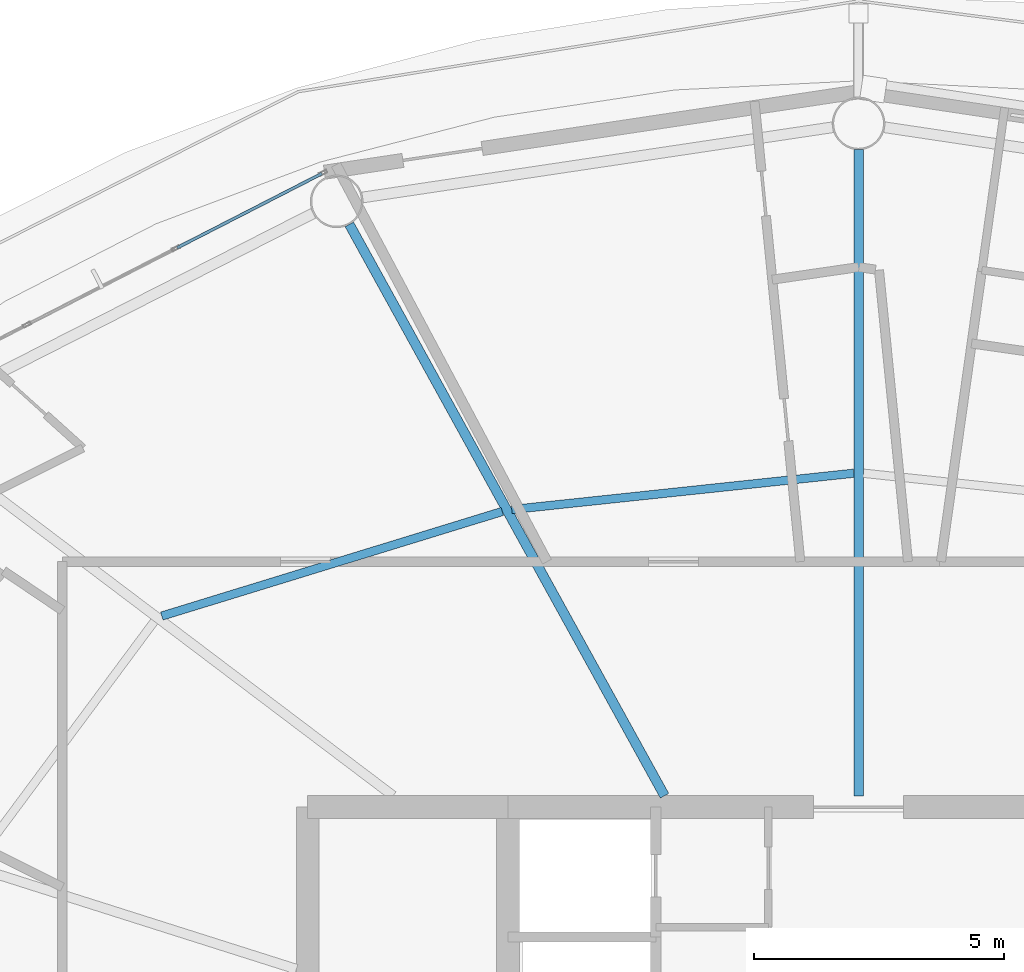
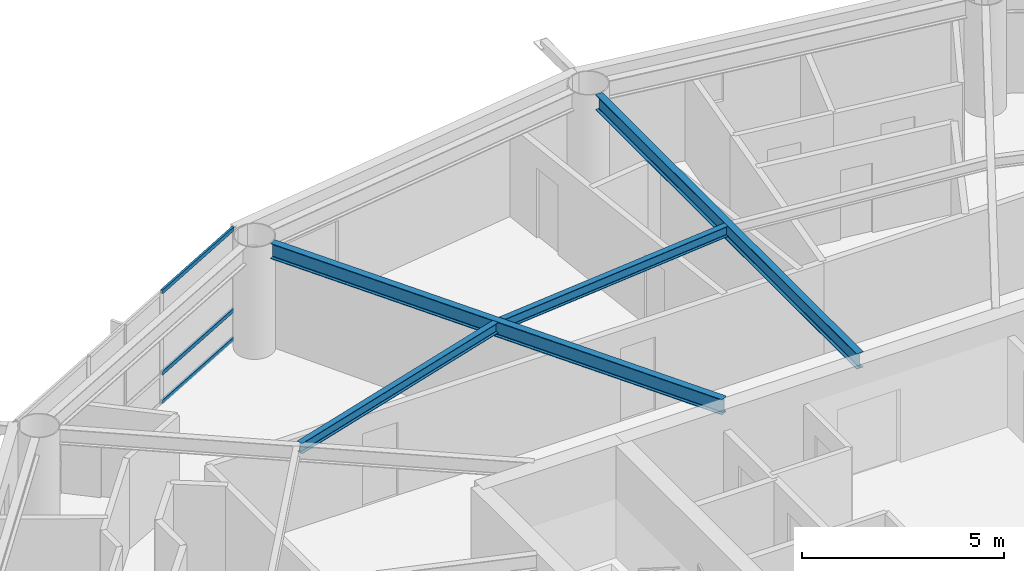
# One storey, part 12 of 27: 4 beams, 3 members, 1 element without a shape of its own.
"""IFC4 building model written with IfcOpenShell, lengths in metres."""

from ifc_helpers import new_model, si_unit, direction, frame, origin, origin_2d, place, context, subcontext, project, spatial, hollow_rectangle, i_section, extrude, material, layer, layer_set, material_profile, profile_set, type_object, element, aggregate, save


model = new_model("IFC4")

# Units and contexts
model_context = context("Model", 3, precision=1e-05, world=origin(), true_north=direction((0.0, 1.0)))
body_context = subcontext(model_context, "Body", "Model", "MODEL_VIEW")
ifc_project = project(units=[si_unit("LENGTHUNIT", "METRE"), si_unit("AREAUNIT", "SQUARE_METRE"), si_unit("VOLUMEUNIT", "CUBIC_METRE"), si_unit("PLANEANGLEUNIT", "RADIAN"), si_unit("MASSUNIT", "GRAM", prefix="KILO")], contexts=[model_context])

# Site, building, storey
site_placement = place(None, origin())
site = spatial("IfcSite", under=ifc_project, at=site_placement, CompositionType="ELEMENT")
building_placement = place(site_placement, origin())
building = spatial("IfcBuilding", under=site, at=building_placement, Name="Sarneth Arch Tower", CompositionType="ELEMENT")
storey_placement = place(building_placement, frame((0.0, 0.0, 157.800048828125)))
storey = spatial("IfcBuildingStorey", under=building, at=storey_placement, Name="L39", CompositionType="ELEMENT", Elevation=157.800048828125)

# Beams
ifc_material_1 = material(Name="Steel S355", Category="steel")
ifc_material_profile_1 = material_profile(ifc_material_1, i_section(OverallWidth=0.1669921875, OverallDepth=0.31689453125, WebThickness=0.007568359375, FlangeThickness=0.01318359375, FilletRadius=0.012939453125, at=origin_2d()), Name="W310x52")
ifc_profile_set_1 = profile_set([ifc_material_profile_1], Name="Steel S355")
beam_type_1 = type_object("IfcBeamType", Name="BM-JOIST-310B", PredefinedType="JOIST", material=ifc_profile_set_1)
beam_1_placement = place(storey_placement, frame((47.904052734375, 55.46484375, 3.221435546875), z_axis=(-0.994407831942, -0.105608066799, 0.0), x_axis=(0.105608066799, -0.994407831942, 0.0)))
element("IfcBeam", 1, at=beam_1_placement, inside=storey, type_object=beam_type_1, Name="L39 Secondary floor joist 05", PredefinedType="JOIST", context=body_context, shape_type="SweptSolid", body=[
    extrude(i_section(OverallWidth=0.1669921875, OverallDepth=0.31689453125, WebThickness=0.007568359375, FlangeThickness=0.01318359375, FilletRadius=0.012939453125, at=origin_2d()), origin(), (0.0, 0.0, 1.0), 6.8681640625),
])
beam_2_placement = place(storey_placement, frame((40.885986328125, 54.700927734375, 3.221435546875), z_axis=(-0.955929549608, -0.293596144707, 0.0), x_axis=(0.293596144707, -0.955929549608, 0.0)))
element("IfcBeam", 2, at=beam_2_placement, inside=storey, type_object=beam_type_1, Name="L39 Secondary floor joist 06", PredefinedType="JOIST", context=body_context, shape_type="SweptSolid", body=[
    extrude(i_section(OverallWidth=0.1669921875, OverallDepth=0.31689453125, WebThickness=0.007568359375, FlangeThickness=0.01318359375, FilletRadius=0.012939453125, at=origin_2d()), origin(), (0.0, 0.0, 1.0), 7.1123046875),
])
ifc_material_2 = material(Name="Steel S355", Category="steel")
ifc_material_profile_2 = material_profile(ifc_material_2, i_section(OverallWidth=0.193115234375, OverallDepth=0.466064453125, WebThickness=0.011474609375, FlangeThickness=0.01904296875, FilletRadius=0.01806640625, at=origin_2d()), Name="W460x97")
ifc_profile_set_2 = profile_set([ifc_material_profile_2], Name="Steel S355")
beam_type_2 = type_object("IfcBeamType", Name="BM-RAD-460C", PredefinedType="BEAM", material=ifc_profile_set_2)
beam_3_placement = place(storey_placement, frame((48.0, 49.02490234375, 3.14697265625), z_axis=(0.0, 1.0, 0.0), x_axis=(-1.0, 0.0, 0.0)))
element("IfcBeam", 3, at=beam_3_placement, inside=storey, type_object=beam_type_2, Name="L39 Radial floor girder 05", PredefinedType="BEAM", context=body_context, shape_type="SweptSolid", body=[
    extrude(i_section(OverallWidth=0.193115234375, OverallDepth=0.466064453125, WebThickness=0.011474609375, FlangeThickness=0.01904296875, FilletRadius=0.01806640625, at=origin_2d()), origin(), (0.0, 0.0, 1.0), 12.900146484375),
])
beam_4_placement = place(storey_placement, frame((44.125, 49.02490234375, 3.14697265625), z_axis=(-0.483004525121, 0.87561785541, 0.0), x_axis=(-0.87561785541, -0.483004525121, 0.0)))
element("IfcBeam", 4, at=beam_4_placement, inside=storey, type_object=beam_type_2, Name="L39 Radial floor girder 06", PredefinedType="BEAM", context=body_context, shape_type="SweptSolid", body=[
    extrude(i_section(OverallWidth=0.193115234375, OverallDepth=0.466064453125, WebThickness=0.011474609375, FlangeThickness=0.01904296875, FilletRadius=0.01806640625, at=origin_2d()), origin(), (0.0, 0.0, 1.0), 13.029296875),
])

# Curtain wall, members
ifc_material_3 = material(Name="Anodised aluminium Type AA25 and solar-control low-e laminated IGU", Category="aluminium")
ifc_layer = layer(ifc_material_3, 0.169921875)
ifc_layer_set = layer_set([ifc_layer], Name="Anodised aluminium Type AA25 and solar-control low-e laminated IGU")
curtain_wall_type = type_object("IfcCurtainWallType", Name="CW-RES-MID", PredefinedType="NOTDEFINED", material=ifc_layer_set)
curtain_wall_placement = place(storey_placement, origin())
curtain_wall = element("IfcCurtainWall", 5, at=curtain_wall_placement, inside=storey, type_object=curtain_wall_type, Name="L39 Unitised curtain wall facet 06", PredefinedType="NOTDEFINED")
ifc_material_4 = material(Name="Anodised Aluminium 6063-T6", Category="aluminium")
ifc_material_profile_3 = material_profile(ifc_material_4, hollow_rectangle(XDim=0.06005859375, YDim=0.1201171875, WallThickness=0.00390625, at=origin_2d()), Name="AL-TRAN-120x60x4")
ifc_profile_set_3 = profile_set([ifc_material_profile_3], Name="Anodised Aluminium 6063-T6")
member_type = type_object("IfcMemberType", Name="CW-TRANSOM", PredefinedType="USERDEFINED", material=ifc_profile_set_3)
member_1_placement = place(storey_placement, frame((37.28369140625, 61.447998046875, 0.030029296875), z_axis=(-0.889857362344, -0.456238835131, 0.0), x_axis=(0.456238835131, -0.889857362344, 0.0)))
member_1 = element("IfcMember", 6, at=member_1_placement, type_object=member_type, Name="CW-SYS-5 transom 1.1", ObjectType="TRANSOM", PredefinedType="USERDEFINED", context=body_context, shape_type="SweptSolid", body=[
    extrude(hollow_rectangle(XDim=0.06005859375, YDim=0.1201171875, WallThickness=0.00390625, at=origin_2d()), origin(), (0.0, 0.0, 1.0), 3.248779296875),
])
member_2_placement = place(storey_placement, frame((37.28369140625, 61.447998046875, 0.89990234375), z_axis=(-0.889857362344, -0.456238835131, 0.0), x_axis=(0.456238835131, -0.889857362344, 0.0)))
member_2 = element("IfcMember", 7, at=member_2_placement, type_object=member_type, Name="CW-SYS-5 transom 1.2", ObjectType="TRANSOM", PredefinedType="USERDEFINED", context=body_context, shape_type="SweptSolid", body=[
    extrude(hollow_rectangle(XDim=0.06005859375, YDim=0.1201171875, WallThickness=0.00390625, at=origin_2d()), origin(), (0.0, 0.0, 1.0), 3.248779296875),
])
member_3_placement = place(storey_placement, frame((37.28369140625, 61.447998046875, 3.349853515625), z_axis=(-0.889857362344, -0.456238835131, 0.0), x_axis=(0.456238835131, -0.889857362344, 0.0)))
member_3 = element("IfcMember", 8, at=member_3_placement, type_object=member_type, Name="CW-SYS-5 transom 1.3", ObjectType="TRANSOM", PredefinedType="USERDEFINED", context=body_context, shape_type="SweptSolid", body=[
    extrude(hollow_rectangle(XDim=0.06005859375, YDim=0.1201171875, WallThickness=0.00390625, at=origin_2d()), origin(), (0.0, 0.0, 1.0), 3.248779296875),
])
aggregate(curtain_wall, [member_1, member_2, member_3])

save(model, "model.ifc")
